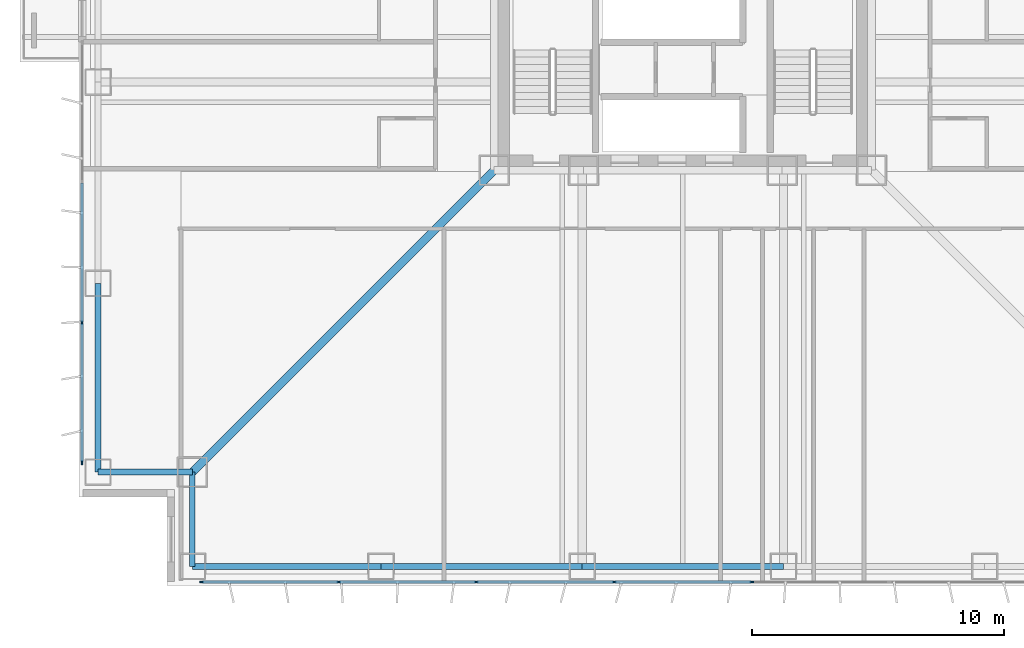
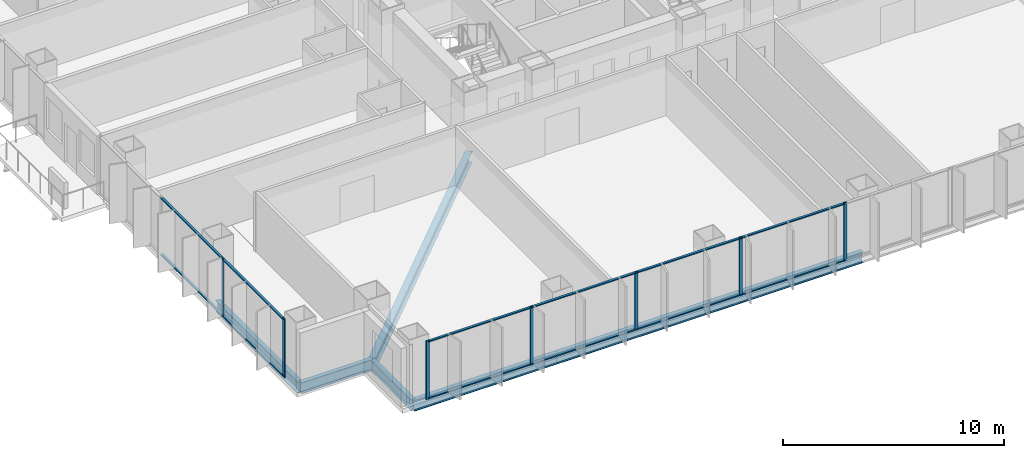
# One storey, part 2 of 16: 19 members, 7 beams, 2 elements without a shape of their own.
"""IFC4 building model written with IfcOpenShell, lengths in metres."""

from ifc_helpers import new_model, si_unit, direction, frame, origin, origin_2d, place, context, subcontext, project, spatial, rectangle, i_section, extrude, material, layer, layer_set, material_profile, profile_set, type_object, element, aggregate, save


model = new_model("IFC4")

# Units and contexts
model_context = context("Model", 3, precision=1e-05, world=origin(), true_north=direction((0.0, 1.0)))
body_context = subcontext(model_context, "Body", "Model", "MODEL_VIEW")
ifc_project = project(units=[si_unit("LENGTHUNIT", "METRE"), si_unit("AREAUNIT", "SQUARE_METRE"), si_unit("VOLUMEUNIT", "CUBIC_METRE"), si_unit("PLANEANGLEUNIT", "RADIAN"), si_unit("MASSUNIT", "GRAM", prefix="KILO")], contexts=[model_context])

# Site, building, storey
site_placement = place(None, origin())
site = spatial("IfcSite", under=ifc_project, at=site_placement, CompositionType="ELEMENT")
building_placement = place(site_placement, origin())
building = spatial("IfcBuilding", under=site, at=building_placement, Name="Trevonay Congress Spire", CompositionType="ELEMENT")
storey_placement = place(building_placement, frame((0.0, 0.0, 48.0)))
storey = spatial("IfcBuildingStorey", under=building, at=storey_placement, Name="L11", CompositionType="ELEMENT", Elevation=48.0)

# Beams
ifc_material_1 = material(Name="Steel ASTM A572 Grade 50", Category="steel")
ifc_material_profile_1 = material_profile(ifc_material_1, i_section(OverallWidth=0.324951171875, OverallDepth=0.615966796875, WebThickness=0.013916015625, FlangeThickness=0.021484375, FilletRadius=0.01806640625, at=origin_2d()), Name="W610x174")
ifc_profile_set_1 = profile_set([ifc_material_profile_1], Name="Steel ASTM A572 Grade 50")
beam_type_1 = type_object("IfcBeamType", Name="BM-GIRD-W610X174", PredefinedType="BEAM", material=ifc_profile_set_1)
beam_placement = place(storey_placement, frame((-7.5, -7.5, -0.55810546875), z_axis=(-0.707106781187, -0.707106781187, 0.0), x_axis=(0.707106781187, -0.707106781187, 0.0)))
element("IfcBeam", 1, at=beam_placement, inside=storey, type_object=beam_type_1, Name="L11 structural beam BM-L11-CDSW", PredefinedType="BEAM", context=body_context, shape_type="SweptSolid", body=[
    extrude(i_section(OverallWidth=0.324951171875, OverallDepth=0.615966796875, WebThickness=0.013916015625, FlangeThickness=0.021484375, FilletRadius=0.01806640625, at=origin_2d()), origin(), (0.0, 0.0, 1.0), 16.970458984375),
])
ifc_material_profile_2 = material_profile(ifc_material_1, i_section(OverallWidth=0.22998046875, OverallDepth=0.616943359375, WebThickness=0.01318359375, FlangeThickness=0.022216796875, FilletRadius=0.01611328125, at=origin_2d()), Name="W610x140")
ifc_profile_set_2 = profile_set([ifc_material_profile_2], Name="Steel ASTM A572 Grade 50")
beam_type_2 = type_object("IfcBeamType", Name="BM-RING-W610X140", PredefinedType="BEAM", material=ifc_profile_set_2)
for number, where, z_axis, x_axis, name in (
    (2, (-19.5, -23.25, -0.55859375), (1.0, 0.0, 0.0), (0.0, 1.0, 0.0), "L11 structural beam BM-L11-PS1"),
    (3, (-23.25, -19.5, -0.55859375), (0.0, 1.0, 0.0), (-1.0, 0.0, 0.0), "L11 structural beam BM-L11-PW1"),
):
    element("IfcBeam", number, at=place(storey_placement, frame(where, z_axis=z_axis, x_axis=x_axis)), inside=storey, type_object=beam_type_2, Name=name, PredefinedType="BEAM", context=body_context, shape_type="SweptSolid", body=[
        extrude(i_section(OverallWidth=0.22998046875, OverallDepth=0.616943359375, WebThickness=0.01318359375, FlangeThickness=0.022216796875, FilletRadius=0.01611328125, at=origin_2d()), origin(), (0.0, 0.0, 1.0), 7.5),
    ])
for number, where, z_axis, x_axis, name in (
    (4, (-12.0, -23.25, -0.55859375), (1.0, 0.0, 0.0), (0.0, 1.0, 0.0), "L11 structural beam BM-L11-PS2"),
    (5, (-4.0, -23.25, -0.55859375), (1.0, 0.0, 0.0), (0.0, 1.0, 0.0), "L11 structural beam BM-L11-PS3"),
):
    element("IfcBeam", number, at=place(storey_placement, frame(where, z_axis=z_axis, x_axis=x_axis)), inside=storey, type_object=beam_type_2, Name=name, PredefinedType="BEAM", context=body_context, shape_type="SweptSolid", body=[
        extrude(i_section(OverallWidth=0.22998046875, OverallDepth=0.616943359375, WebThickness=0.01318359375, FlangeThickness=0.022216796875, FilletRadius=0.01611328125, at=origin_2d()), origin(), (0.0, 0.0, 1.0), 8.0),
    ])
for number, where, z_axis, x_axis, name in (
    (6, (-19.5, -23.25, -0.55859375), (0.0, 1.0, 0.0), (-1.0, 0.0, 0.0), "L11 structural beam BM-L11-N1SW"),
    (7, (-23.25, -19.5, -0.55859375), (1.0, 0.0, 0.0), (0.0, 1.0, 0.0), "L11 structural beam BM-L11-N2SW"),
):
    element("IfcBeam", number, at=place(storey_placement, frame(where, z_axis=z_axis, x_axis=x_axis)), inside=storey, type_object=beam_type_2, Name=name, PredefinedType="BEAM", context=body_context, shape_type="SweptSolid", body=[
        extrude(i_section(OverallWidth=0.22998046875, OverallDepth=0.616943359375, WebThickness=0.01318359375, FlangeThickness=0.022216796875, FilletRadius=0.01611328125, at=origin_2d()), origin(), (0.0, 0.0, 1.0), 3.75),
    ])

# Curtain wall, members
ifc_material_2 = material(Name="Pale Anodised Aluminium EN AW-6063-T6", Category="aluminium")
ifc_layer = layer(ifc_material_2, 0.179931640625, Name="Pale Anodised Aluminium EN AW-6063-T6")
ifc_layer_set = layer_set([ifc_layer], Name="Pale Anodised Aluminium EN AW-6063-T6")
curtain_wall_type = type_object("IfcCurtainWallType", Name="CW-SYS02-HOTEL-PALE-METAL", PredefinedType="NOTDEFINED", material=ifc_layer_set)
curtain_wall_1_placement = place(storey_placement, origin())
curtain_wall_1 = element("IfcCurtainWall", 8, at=curtain_wall_1_placement, inside=storey, type_object=curtain_wall_type, Name="L11 S unitised curtain wall", PredefinedType="NOTDEFINED")
ifc_material_profile_3 = material_profile(ifc_material_2, rectangle(XDim=0.06005859375, YDim=0.159912109375, at=origin_2d()), Name="CW-MULLION-160-ALUMINIUM")
ifc_profile_set_3 = profile_set([ifc_material_profile_3], Name="Pale Anodised Aluminium EN AW-6063-T6")
member_type_1 = type_object("IfcMemberType", Name="CW-MULLION-160-ALUMINIUM", PredefinedType="MULLION", material=ifc_profile_set_3)
member_1_placement = place(storey_placement, frame((-19.1201171875, -23.8798828125, 0.0), z_axis=(0.0, 0.0, 1.0), x_axis=(0.0, 1.0, 0.0)))
member_1 = element("IfcMember", 9, at=member_1_placement, type_object=member_type_1, Name="CW02 mullion 1", PredefinedType="MULLION", context=body_context, shape_type="SweptSolid", body=[
    extrude(rectangle(XDim=0.06005859375, YDim=0.159912109375, at=origin_2d()), origin(), (0.0, 0.0, 1.0), 3.25),
])
member_2_placement = place(storey_placement, frame((-13.678466796875, -23.8798828125, 0.0), z_axis=(0.0, 0.0, 1.0), x_axis=(0.0, 1.0, 0.0)))
member_2 = element("IfcMember", 10, at=member_2_placement, type_object=member_type_1, Name="CW02 mullion 2", PredefinedType="MULLION", context=body_context, shape_type="SweptSolid", body=[
    extrude(rectangle(XDim=0.06005859375, YDim=0.159912109375, at=origin_2d()), origin(), (0.0, 0.0, 1.0), 3.25),
])
member_3_placement = place(storey_placement, frame((-8.20703125, -23.8798828125, 0.0), z_axis=(0.0, 0.0, 1.0), x_axis=(0.0, 1.0, 0.0)))
member_3 = element("IfcMember", 11, at=member_3_placement, type_object=member_type_1, Name="CW02 mullion 3", PredefinedType="MULLION", context=body_context, shape_type="SweptSolid", body=[
    extrude(rectangle(XDim=0.06005859375, YDim=0.159912109375, at=origin_2d()), origin(), (0.0, 0.0, 1.0), 3.25),
])
member_4_placement = place(storey_placement, frame((-2.735595703125, -23.8798828125, 0.0), z_axis=(0.0, 0.0, 1.0), x_axis=(0.0, 1.0, 0.0)))
member_4 = element("IfcMember", 12, at=member_4_placement, type_object=member_type_1, Name="CW02 mullion 4", PredefinedType="MULLION", context=body_context, shape_type="SweptSolid", body=[
    extrude(rectangle(XDim=0.06005859375, YDim=0.159912109375, at=origin_2d()), origin(), (0.0, 0.0, 1.0), 3.25),
])
member_5_placement = place(storey_placement, frame((2.735595703125, -23.8798828125, 0.0), z_axis=(0.0, 0.0, 1.0), x_axis=(0.0, 1.0, 0.0)))
member_5 = element("IfcMember", 13, at=member_5_placement, type_object=member_type_1, Name="CW02 mullion 5", PredefinedType="MULLION", context=body_context, shape_type="SweptSolid", body=[
    extrude(rectangle(XDim=0.06005859375, YDim=0.159912109375, at=origin_2d()), origin(), (0.0, 0.0, 1.0), 3.25),
])

curtain_wall_2_placement = place(storey_placement, origin())
curtain_wall_2 = element("IfcCurtainWall", 14, at=curtain_wall_2_placement, inside=storey, type_object=curtain_wall_type, Name="L11 WA unitised curtain wall", PredefinedType="NOTDEFINED")
member_6_placement = place(storey_placement, frame((-23.8798828125, -19.1201171875, 0.0), z_axis=(0.0, 0.0, 1.0), x_axis=(-1.0, 0.0, 0.0)))
member_6 = element("IfcMember", 15, at=member_6_placement, type_object=member_type_1, Name="CW02 mullion 1", PredefinedType="MULLION", context=body_context, shape_type="SweptSolid", body=[
    extrude(rectangle(XDim=0.06005859375, YDim=0.159912109375, at=origin_2d()), origin(), (0.0, 0.0, 1.0), 3.25),
])
member_7_placement = place(storey_placement, frame((-23.8798828125, -13.566650390625, 0.0), z_axis=(0.0, 0.0, 1.0), x_axis=(-1.0, 0.0, 0.0)))
member_7 = element("IfcMember", 16, at=member_7_placement, type_object=member_type_1, Name="CW02 mullion 2", PredefinedType="MULLION", context=body_context, shape_type="SweptSolid", body=[
    extrude(rectangle(XDim=0.06005859375, YDim=0.159912109375, at=origin_2d()), origin(), (0.0, 0.0, 1.0), 3.25),
])

# Member
ifc_material_profile_4 = material_profile(ifc_material_2, rectangle(XDim=0.1201171875, YDim=0.06005859375, at=origin_2d()), Name="CW-TRANSOM-120-ALUMINIUM")
ifc_profile_set_4 = profile_set([ifc_material_profile_4], Name="Pale Anodised Aluminium EN AW-6063-T6")
member_type_2 = type_object("IfcMemberType", Name="CW-TRANSOM-120-ALUMINIUM", PredefinedType="USERDEFINED", material=ifc_profile_set_4)
member_8_placement = place(storey_placement, frame((-19.090087890625, -23.8798828125, 0.06005859375), z_axis=(1.0, 0.0, 0.0), x_axis=(0.0, 1.0, 0.0)))
member_8 = element("IfcMember", 17, at=member_8_placement, type_object=member_type_2, Name="CW02 transom 1.1", ObjectType="TRANSOM", PredefinedType="USERDEFINED", context=body_context, shape_type="SweptSolid", body=[
    extrude(rectangle(XDim=0.1201171875, YDim=0.06005859375, at=origin_2d()), origin(), (0.0, 0.0, 1.0), 5.381591796875),
])

member_9_placement = place(storey_placement, frame((-19.090087890625, -23.8798828125, 3.18994140625), z_axis=(1.0, 0.0, 0.0), x_axis=(0.0, 1.0, 0.0)))
member_9 = element("IfcMember", 18, at=member_9_placement, type_object=member_type_2, Name="CW02 transom 1.2", ObjectType="TRANSOM", PredefinedType="USERDEFINED", context=body_context, shape_type="SweptSolid", body=[
    extrude(rectangle(XDim=0.1201171875, YDim=0.06005859375, at=origin_2d()), origin(), (0.0, 0.0, 1.0), 5.381591796875),
])

member_10_placement = place(storey_placement, frame((-13.648681640625, -23.8798828125, 0.06005859375), z_axis=(1.0, 0.0, 0.0), x_axis=(0.0, 1.0, 0.0)))
member_10 = element("IfcMember", 19, at=member_10_placement, type_object=member_type_2, Name="CW02 transom 2.1", ObjectType="TRANSOM", PredefinedType="USERDEFINED", context=body_context, shape_type="SweptSolid", body=[
    extrude(rectangle(XDim=0.1201171875, YDim=0.06005859375, at=origin_2d()), origin(), (0.0, 0.0, 1.0), 5.41162109375),
])

member_11_placement = place(storey_placement, frame((-13.648681640625, -23.8798828125, 3.18994140625), z_axis=(1.0, 0.0, 0.0), x_axis=(0.0, 1.0, 0.0)))
member_11 = element("IfcMember", 20, at=member_11_placement, type_object=member_type_2, Name="CW02 transom 2.2", ObjectType="TRANSOM", PredefinedType="USERDEFINED", context=body_context, shape_type="SweptSolid", body=[
    extrude(rectangle(XDim=0.1201171875, YDim=0.06005859375, at=origin_2d()), origin(), (0.0, 0.0, 1.0), 5.41162109375),
])

member_12_placement = place(storey_placement, frame((-8.17724609375, -23.8798828125, 0.06005859375), z_axis=(1.0, 0.0, 0.0), x_axis=(0.0, 1.0, 0.0)))
member_12 = element("IfcMember", 21, at=member_12_placement, type_object=member_type_2, Name="CW02 transom 3.1", ObjectType="TRANSOM", PredefinedType="USERDEFINED", context=body_context, shape_type="SweptSolid", body=[
    extrude(rectangle(XDim=0.1201171875, YDim=0.06005859375, at=origin_2d()), origin(), (0.0, 0.0, 1.0), 5.41162109375),
])

member_13_placement = place(storey_placement, frame((-8.17724609375, -23.8798828125, 3.18994140625), z_axis=(1.0, 0.0, 0.0), x_axis=(0.0, 1.0, 0.0)))
member_13 = element("IfcMember", 22, at=member_13_placement, type_object=member_type_2, Name="CW02 transom 3.2", ObjectType="TRANSOM", PredefinedType="USERDEFINED", context=body_context, shape_type="SweptSolid", body=[
    extrude(rectangle(XDim=0.1201171875, YDim=0.06005859375, at=origin_2d()), origin(), (0.0, 0.0, 1.0), 5.41162109375),
])

member_14_placement = place(storey_placement, frame((-2.705810546875, -23.8798828125, 0.06005859375), z_axis=(1.0, 0.0, 0.0), x_axis=(0.0, 1.0, 0.0)))
member_14 = element("IfcMember", 23, at=member_14_placement, type_object=member_type_2, Name="CW02 transom 4.1", ObjectType="TRANSOM", PredefinedType="USERDEFINED", context=body_context, shape_type="SweptSolid", body=[
    extrude(rectangle(XDim=0.1201171875, YDim=0.06005859375, at=origin_2d()), origin(), (0.0, 0.0, 1.0), 5.41162109375),
])

member_15_placement = place(storey_placement, frame((-2.705810546875, -23.8798828125, 3.18994140625), z_axis=(1.0, 0.0, 0.0), x_axis=(0.0, 1.0, 0.0)))
member_15 = element("IfcMember", 24, at=member_15_placement, type_object=member_type_2, Name="CW02 transom 4.2", ObjectType="TRANSOM", PredefinedType="USERDEFINED", context=body_context, shape_type="SweptSolid", body=[
    extrude(rectangle(XDim=0.1201171875, YDim=0.06005859375, at=origin_2d()), origin(), (0.0, 0.0, 1.0), 5.41162109375),
])

aggregate(curtain_wall_1, [member_1, member_2, member_3, member_4, member_5, member_8, member_9, member_10, member_11, member_12, member_13, member_14, member_15])

member_16_placement = place(storey_placement, frame((-23.8798828125, -19.090087890625, 0.06005859375), z_axis=(0.0, 1.0, 0.0), x_axis=(-1.0, 0.0, 0.0)))
member_16 = element("IfcMember", 25, at=member_16_placement, type_object=member_type_2, Name="CW02 transom 1.1", ObjectType="TRANSOM", PredefinedType="USERDEFINED", context=body_context, shape_type="SweptSolid", body=[
    extrude(rectangle(XDim=0.1201171875, YDim=0.06005859375, at=origin_2d()), origin(), (0.0, 0.0, 1.0), 5.493408203125),
])

member_17_placement = place(storey_placement, frame((-23.8798828125, -19.090087890625, 3.18994140625), z_axis=(0.0, 1.0, 0.0), x_axis=(-1.0, 0.0, 0.0)))
member_17 = element("IfcMember", 26, at=member_17_placement, type_object=member_type_2, Name="CW02 transom 1.2", ObjectType="TRANSOM", PredefinedType="USERDEFINED", context=body_context, shape_type="SweptSolid", body=[
    extrude(rectangle(XDim=0.1201171875, YDim=0.06005859375, at=origin_2d()), origin(), (0.0, 0.0, 1.0), 5.493408203125),
])

member_18_placement = place(storey_placement, frame((-23.8798828125, -13.53662109375, 0.06005859375), z_axis=(0.0, 1.0, 0.0), x_axis=(-1.0, 0.0, 0.0)))
member_18 = element("IfcMember", 27, at=member_18_placement, type_object=member_type_2, Name="CW02 transom 2.1", ObjectType="TRANSOM", PredefinedType="USERDEFINED", context=body_context, shape_type="SweptSolid", body=[
    extrude(rectangle(XDim=0.1201171875, YDim=0.06005859375, at=origin_2d()), origin(), (0.0, 0.0, 1.0), 5.523193359375),
])

member_19_placement = place(storey_placement, frame((-23.8798828125, -13.53662109375, 3.18994140625), z_axis=(0.0, 1.0, 0.0), x_axis=(-1.0, 0.0, 0.0)))
member_19 = element("IfcMember", 28, at=member_19_placement, type_object=member_type_2, Name="CW02 transom 2.2", ObjectType="TRANSOM", PredefinedType="USERDEFINED", context=body_context, shape_type="SweptSolid", body=[
    extrude(rectangle(XDim=0.1201171875, YDim=0.06005859375, at=origin_2d()), origin(), (0.0, 0.0, 1.0), 5.523193359375),
])

aggregate(curtain_wall_2, [member_6, member_7, member_16, member_17, member_18, member_19])

save(model, "model.ifc")
